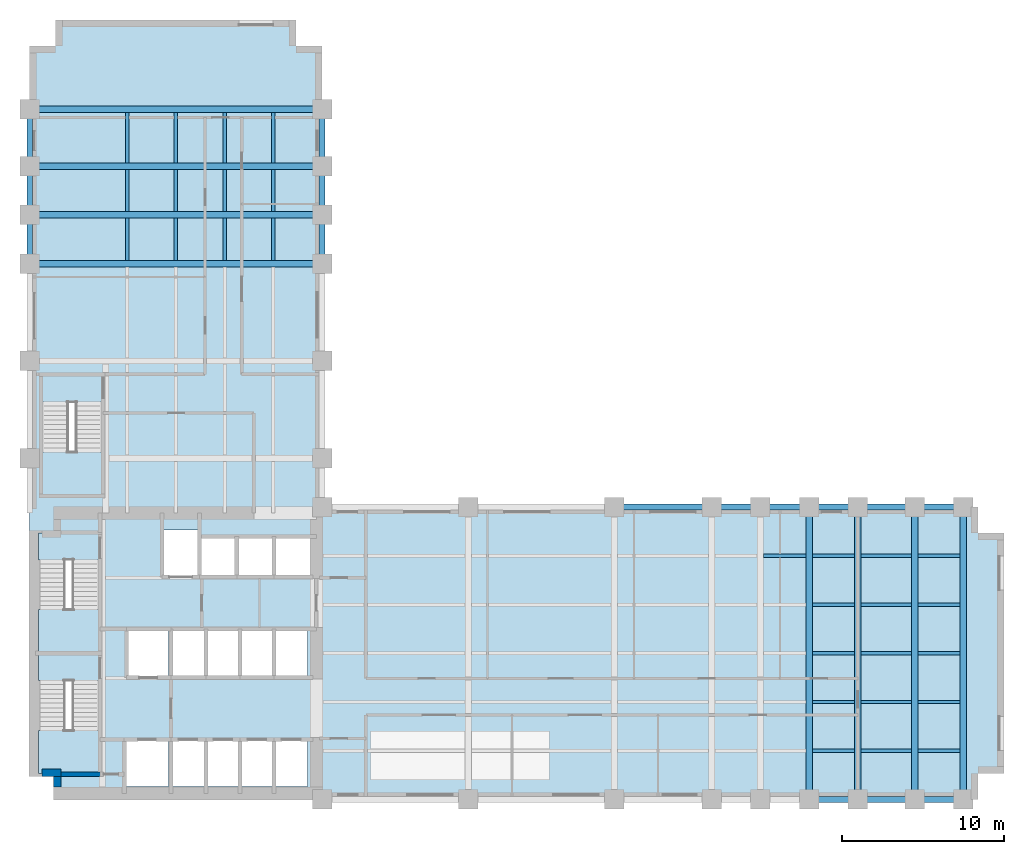
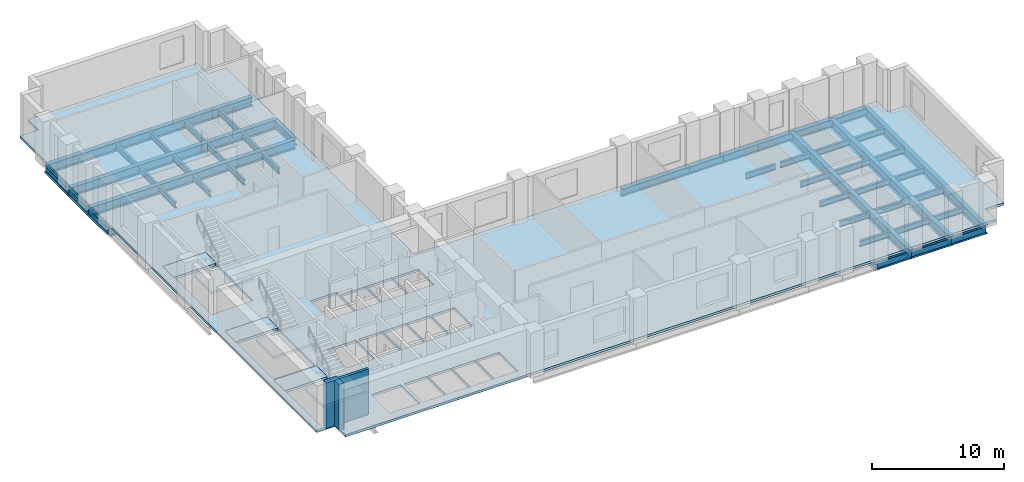
# One storey, part 2 of 7: 51 beams, 7 slabs, 3 walls, 3 elements without a shape of their own.
"""IFC4 building model written with IfcOpenShell, lengths in metres."""

from ifc_helpers import new_model, si_unit, direction, frame, frame_2d, origin, origin_2d, place, context, subcontext, project, spatial, polyline, rectangle, i_section, outline, extrude, material, layer, layer_set, material_profile, profile_set, type_object, element, aggregate, save


model = new_model("IFC4")

# Units and contexts
model_context = context("Model", 3, precision=1e-05, world=origin(), true_north=direction((0.0, 1.0)))
body_context = subcontext(model_context, "Body", "Model", "MODEL_VIEW")
ifc_project = project(units=[si_unit("LENGTHUNIT", "METRE"), si_unit("AREAUNIT", "SQUARE_METRE"), si_unit("VOLUMEUNIT", "CUBIC_METRE"), si_unit("PLANEANGLEUNIT", "RADIAN"), si_unit("MASSUNIT", "GRAM", prefix="KILO")], contexts=[model_context])

# Site, building, storey
site_placement = place(None, origin())
site = spatial("IfcSite", under=ifc_project, at=site_placement, CompositionType="ELEMENT")
building_placement = place(site_placement, origin())
building = spatial("IfcBuilding", under=site, at=building_placement, Name="Mawjdan Bourse Tower", CompositionType="ELEMENT")
storey_placement = place(building_placement, frame((0.0, 0.0, 30.0)))
storey = spatial("IfcBuildingStorey", under=building, at=storey_placement, Name="L06", CompositionType="ELEMENT", Elevation=30.0)

# Beams
ifc_material_1 = material(Name="Structural Steel S355", Category="steel")
ifc_material_profile_1 = material_profile(ifc_material_1, i_section(OverallWidth=0.39892578125, OverallDepth=0.85595703125, WebThickness=0.018310546875, FlangeThickness=0.029296875, FilletRadius=0.0234375, at=origin_2d()), Name="W33X201")
ifc_profile_set_1 = profile_set([ifc_material_profile_1], Name="Structural Steel S355")
beam_type_1 = type_object("IfcBeamType", Name="GRD-W33X201", PredefinedType="BEAM", material=ifc_profile_set_1)
for number, where, z_axis, x_axis, name in (
    (1, (54.0, 3.0, -0.64794921875), (0.0, 1.0, 0.0), (-1.0, 0.0, 0.0), "L06 East Wing Clear-Span Girder 006"),
    (2, (57.0, 3.0, -0.64794921875), (0.0, 1.0, 0.0), (-1.0, 0.0, 0.0), "L06 East Wing Clear-Span Girder 007"),
    (3, (60.5, 3.0, -0.64794921875), (0.0, 1.0, 0.0), (-1.0, 0.0, 0.0), "L06 East Wing Clear-Span Girder 008"),
    (4, (63.5, 3.0, -0.64794921875), (0.0, 1.0, 0.0), (-1.0, 0.0, 0.0), "L06 East Wing Clear-Span Girder 009"),
    (5, (6.0, 36.0, -0.64794921875), (1.0, 0.0, 0.0), (0.0, 1.0, 0.0), "L06 North Wing Clear-Span Girder 073"),
    (6, (6.0, 39.0, -0.64794921875), (1.0, 0.0, 0.0), (0.0, 1.0, 0.0), "L06 North Wing Clear-Span Girder 074"),
    (7, (6.0, 42.0, -0.64794921875), (1.0, 0.0, 0.0), (0.0, 1.0, 0.0), "L06 North Wing Clear-Span Girder 075"),
    (8, (6.0, 45.5, -0.64794921875), (1.0, 0.0, 0.0), (0.0, 1.0, 0.0), "L06 North Wing Clear-Span Girder 076"),
):
    element("IfcBeam", number, at=place(storey_placement, frame(where, z_axis=z_axis, x_axis=x_axis)), inside=storey, type_object=beam_type_1, Name=name, PredefinedType="BEAM", context=body_context, shape_type="SweptSolid", body=[
        extrude(i_section(OverallWidth=0.39892578125, OverallDepth=0.85595703125, WebThickness=0.018310546875, FlangeThickness=0.029296875, FilletRadius=0.0234375, at=origin_2d()), origin(), (0.0, 0.0, 1.0), 18.0),
    ])
ifc_material_profile_2 = material_profile(ifc_material_1, i_section(OverallWidth=0.2119140625, OverallDepth=0.5439453125, WebThickness=0.01318359375, FlangeThickness=0.021240234375, FilletRadius=0.01708984375, at=origin_2d()), Name="W21X83")
ifc_profile_set_2 = profile_set([ifc_material_profile_2], Name="Structural Steel S355")
beam_type_2 = type_object("IfcBeamType", Name="JST-W21X83", PredefinedType="JOIST", material=ifc_profile_set_2)
beam_1_placement = place(storey_placement, frame((54.197509765625, 6.0, -0.491943359375), z_axis=(1.0, 0.0, 0.0), x_axis=(0.0, 1.0, 0.0)))
element("IfcBeam", 9, at=beam_1_placement, inside=storey, type_object=beam_type_2, Name="L06 East Wing Composite Joist 031", PredefinedType="JOIST", context=body_context, shape_type="SweptSolid", body=[
    extrude(i_section(OverallWidth=0.2119140625, OverallDepth=0.5439453125, WebThickness=0.01318359375, FlangeThickness=0.021240234375, FilletRadius=0.01708984375, at=origin_2d()), origin(), (0.0, 0.0, 1.0), 2.60498046875),
])
beam_2_placement = place(storey_placement, frame((57.197509765625, 6.0, -0.491943359375), z_axis=(1.0, 0.0, 0.0), x_axis=(0.0, 1.0, 0.0)))
element("IfcBeam", 10, at=beam_2_placement, inside=storey, type_object=beam_type_2, Name="L06 East Wing Composite Joist 032", PredefinedType="JOIST", context=body_context, shape_type="SweptSolid", body=[
    extrude(i_section(OverallWidth=0.2119140625, OverallDepth=0.5439453125, WebThickness=0.01318359375, FlangeThickness=0.021240234375, FilletRadius=0.01708984375, at=origin_2d()), origin(), (0.0, 0.0, 1.0), 3.10498046875),
])
for number, where, z_axis, x_axis, name in (
    (11, (60.697509765625, 6.0, -0.491943359375), (1.0, 0.0, 0.0), (0.0, 1.0, 0.0), "L06 East Wing Composite Joist 033"),
    (12, (54.197509765625, 9.0, -0.491943359375), (1.0, 0.0, 0.0), (0.0, 1.0, 0.0), "L06 East Wing Composite Joist 039"),
):
    element("IfcBeam", number, at=place(storey_placement, frame(where, z_axis=z_axis, x_axis=x_axis)), inside=storey, type_object=beam_type_2, Name=name, PredefinedType="JOIST", context=body_context, shape_type="SweptSolid", body=[
        extrude(i_section(OverallWidth=0.2119140625, OverallDepth=0.5439453125, WebThickness=0.01318359375, FlangeThickness=0.021240234375, FilletRadius=0.01708984375, at=origin_2d()), origin(), (0.0, 0.0, 1.0), 2.60498046875),
    ])
beam_3_placement = place(storey_placement, frame((57.197509765625, 9.0, -0.491943359375), z_axis=(1.0, 0.0, 0.0), x_axis=(0.0, 1.0, 0.0)))
element("IfcBeam", 13, at=beam_3_placement, inside=storey, type_object=beam_type_2, Name="L06 East Wing Composite Joist 040", PredefinedType="JOIST", context=body_context, shape_type="SweptSolid", body=[
    extrude(i_section(OverallWidth=0.2119140625, OverallDepth=0.5439453125, WebThickness=0.01318359375, FlangeThickness=0.021240234375, FilletRadius=0.01708984375, at=origin_2d()), origin(), (0.0, 0.0, 1.0), 3.10498046875),
])
for number, where, z_axis, x_axis, name in (
    (14, (60.697509765625, 9.0, -0.491943359375), (1.0, 0.0, 0.0), (0.0, 1.0, 0.0), "L06 East Wing Composite Joist 041"),
    (15, (54.197509765625, 12.0, -0.491943359375), (1.0, 0.0, 0.0), (0.0, 1.0, 0.0), "L06 East Wing Composite Joist 047"),
):
    element("IfcBeam", number, at=place(storey_placement, frame(where, z_axis=z_axis, x_axis=x_axis)), inside=storey, type_object=beam_type_2, Name=name, PredefinedType="JOIST", context=body_context, shape_type="SweptSolid", body=[
        extrude(i_section(OverallWidth=0.2119140625, OverallDepth=0.5439453125, WebThickness=0.01318359375, FlangeThickness=0.021240234375, FilletRadius=0.01708984375, at=origin_2d()), origin(), (0.0, 0.0, 1.0), 2.60498046875),
    ])
beam_4_placement = place(storey_placement, frame((57.197509765625, 12.0, -0.491943359375), z_axis=(1.0, 0.0, 0.0), x_axis=(0.0, 1.0, 0.0)))
element("IfcBeam", 16, at=beam_4_placement, inside=storey, type_object=beam_type_2, Name="L06 East Wing Composite Joist 048", PredefinedType="JOIST", context=body_context, shape_type="SweptSolid", body=[
    extrude(i_section(OverallWidth=0.2119140625, OverallDepth=0.5439453125, WebThickness=0.01318359375, FlangeThickness=0.021240234375, FilletRadius=0.01708984375, at=origin_2d()), origin(), (0.0, 0.0, 1.0), 3.10498046875),
])
for number, where, z_axis, x_axis, name in (
    (17, (60.697509765625, 12.0, -0.491943359375), (1.0, 0.0, 0.0), (0.0, 1.0, 0.0), "L06 East Wing Composite Joist 049"),
    (18, (54.197509765625, 15.0, -0.491943359375), (1.0, 0.0, 0.0), (0.0, 1.0, 0.0), "L06 East Wing Composite Joist 055"),
):
    element("IfcBeam", number, at=place(storey_placement, frame(where, z_axis=z_axis, x_axis=x_axis)), inside=storey, type_object=beam_type_2, Name=name, PredefinedType="JOIST", context=body_context, shape_type="SweptSolid", body=[
        extrude(i_section(OverallWidth=0.2119140625, OverallDepth=0.5439453125, WebThickness=0.01318359375, FlangeThickness=0.021240234375, FilletRadius=0.01708984375, at=origin_2d()), origin(), (0.0, 0.0, 1.0), 2.60498046875),
    ])
beam_5_placement = place(storey_placement, frame((57.197509765625, 15.0, -0.491943359375), z_axis=(1.0, 0.0, 0.0), x_axis=(0.0, 1.0, 0.0)))
element("IfcBeam", 19, at=beam_5_placement, inside=storey, type_object=beam_type_2, Name="L06 East Wing Composite Joist 056", PredefinedType="JOIST", context=body_context, shape_type="SweptSolid", body=[
    extrude(i_section(OverallWidth=0.2119140625, OverallDepth=0.5439453125, WebThickness=0.01318359375, FlangeThickness=0.021240234375, FilletRadius=0.01708984375, at=origin_2d()), origin(), (0.0, 0.0, 1.0), 3.10498046875),
])
for number, where, z_axis, x_axis, name in (
    (20, (60.697509765625, 15.0, -0.491943359375), (1.0, 0.0, 0.0), (0.0, 1.0, 0.0), "L06 East Wing Composite Joist 057"),
    (21, (51.197509765625, 18.0, -0.491943359375), (1.0, 0.0, 0.0), (0.0, 1.0, 0.0), "L06 East Wing Composite Joist 062"),
    (22, (54.197509765625, 18.0, -0.491943359375), (1.0, 0.0, 0.0), (0.0, 1.0, 0.0), "L06 East Wing Composite Joist 063"),
):
    element("IfcBeam", number, at=place(storey_placement, frame(where, z_axis=z_axis, x_axis=x_axis)), inside=storey, type_object=beam_type_2, Name=name, PredefinedType="JOIST", context=body_context, shape_type="SweptSolid", body=[
        extrude(i_section(OverallWidth=0.2119140625, OverallDepth=0.5439453125, WebThickness=0.01318359375, FlangeThickness=0.021240234375, FilletRadius=0.01708984375, at=origin_2d()), origin(), (0.0, 0.0, 1.0), 2.60498046875),
    ])
beam_6_placement = place(storey_placement, frame((57.197509765625, 18.0, -0.491943359375), z_axis=(1.0, 0.0, 0.0), x_axis=(0.0, 1.0, 0.0)))
element("IfcBeam", 23, at=beam_6_placement, inside=storey, type_object=beam_type_2, Name="L06 East Wing Composite Joist 064", PredefinedType="JOIST", context=body_context, shape_type="SweptSolid", body=[
    extrude(i_section(OverallWidth=0.2119140625, OverallDepth=0.5439453125, WebThickness=0.01318359375, FlangeThickness=0.021240234375, FilletRadius=0.01708984375, at=origin_2d()), origin(), (0.0, 0.0, 1.0), 3.10498046875),
])
for number, where, z_axis, x_axis, name in (
    (24, (60.697509765625, 18.0, -0.491943359375), (1.0, 0.0, 0.0), (0.0, 1.0, 0.0), "L06 East Wing Composite Joist 065"),
    (25, (12.0, 36.197509765625, -0.491943359375), (0.0, 1.0, 0.0), (-1.0, 0.0, 0.0), "L06 North Wing Composite Joist 092"),
    (26, (12.0, 39.197509765625, -0.491943359375), (0.0, 1.0, 0.0), (-1.0, 0.0, 0.0), "L06 North Wing Composite Joist 093"),
):
    element("IfcBeam", number, at=place(storey_placement, frame(where, z_axis=z_axis, x_axis=x_axis)), inside=storey, type_object=beam_type_2, Name=name, PredefinedType="JOIST", context=body_context, shape_type="SweptSolid", body=[
        extrude(i_section(OverallWidth=0.2119140625, OverallDepth=0.5439453125, WebThickness=0.01318359375, FlangeThickness=0.021240234375, FilletRadius=0.01708984375, at=origin_2d()), origin(), (0.0, 0.0, 1.0), 2.60498046875),
    ])
beam_7_placement = place(storey_placement, frame((12.0, 42.197509765625, -0.491943359375), z_axis=(0.0, 1.0, 0.0), x_axis=(-1.0, 0.0, 0.0)))
element("IfcBeam", 27, at=beam_7_placement, inside=storey, type_object=beam_type_2, Name="L06 North Wing Composite Joist 094", PredefinedType="JOIST", context=body_context, shape_type="SweptSolid", body=[
    extrude(i_section(OverallWidth=0.2119140625, OverallDepth=0.5439453125, WebThickness=0.01318359375, FlangeThickness=0.021240234375, FilletRadius=0.01708984375, at=origin_2d()), origin(), (0.0, 0.0, 1.0), 3.10498046875),
])
for number, where, z_axis, x_axis, name in (
    (28, (15.0, 36.197509765625, -0.491943359375), (0.0, 1.0, 0.0), (-1.0, 0.0, 0.0), "L06 North Wing Composite Joist 098"),
    (29, (15.0, 39.197509765625, -0.491943359375), (0.0, 1.0, 0.0), (-1.0, 0.0, 0.0), "L06 North Wing Composite Joist 099"),
):
    element("IfcBeam", number, at=place(storey_placement, frame(where, z_axis=z_axis, x_axis=x_axis)), inside=storey, type_object=beam_type_2, Name=name, PredefinedType="JOIST", context=body_context, shape_type="SweptSolid", body=[
        extrude(i_section(OverallWidth=0.2119140625, OverallDepth=0.5439453125, WebThickness=0.01318359375, FlangeThickness=0.021240234375, FilletRadius=0.01708984375, at=origin_2d()), origin(), (0.0, 0.0, 1.0), 2.60498046875),
    ])
beam_8_placement = place(storey_placement, frame((15.0, 42.197509765625, -0.491943359375), z_axis=(0.0, 1.0, 0.0), x_axis=(-1.0, 0.0, 0.0)))
element("IfcBeam", 30, at=beam_8_placement, inside=storey, type_object=beam_type_2, Name="L06 North Wing Composite Joist 100", PredefinedType="JOIST", context=body_context, shape_type="SweptSolid", body=[
    extrude(i_section(OverallWidth=0.2119140625, OverallDepth=0.5439453125, WebThickness=0.01318359375, FlangeThickness=0.021240234375, FilletRadius=0.01708984375, at=origin_2d()), origin(), (0.0, 0.0, 1.0), 3.10498046875),
])
for number, where, z_axis, x_axis, name in (
    (31, (18.0, 36.197509765625, -0.491943359375), (0.0, 1.0, 0.0), (-1.0, 0.0, 0.0), "L06 North Wing Composite Joist 104"),
    (32, (18.0, 39.197509765625, -0.491943359375), (0.0, 1.0, 0.0), (-1.0, 0.0, 0.0), "L06 North Wing Composite Joist 105"),
):
    element("IfcBeam", number, at=place(storey_placement, frame(where, z_axis=z_axis, x_axis=x_axis)), inside=storey, type_object=beam_type_2, Name=name, PredefinedType="JOIST", context=body_context, shape_type="SweptSolid", body=[
        extrude(i_section(OverallWidth=0.2119140625, OverallDepth=0.5439453125, WebThickness=0.01318359375, FlangeThickness=0.021240234375, FilletRadius=0.01708984375, at=origin_2d()), origin(), (0.0, 0.0, 1.0), 2.60498046875),
    ])
beam_9_placement = place(storey_placement, frame((18.0, 42.197509765625, -0.491943359375), z_axis=(0.0, 1.0, 0.0), x_axis=(-1.0, 0.0, 0.0)))
element("IfcBeam", 33, at=beam_9_placement, inside=storey, type_object=beam_type_2, Name="L06 North Wing Composite Joist 106", PredefinedType="JOIST", context=body_context, shape_type="SweptSolid", body=[
    extrude(i_section(OverallWidth=0.2119140625, OverallDepth=0.5439453125, WebThickness=0.01318359375, FlangeThickness=0.021240234375, FilletRadius=0.01708984375, at=origin_2d()), origin(), (0.0, 0.0, 1.0), 3.10498046875),
])
for number, where, z_axis, x_axis, name in (
    (34, (21.0, 36.197509765625, -0.491943359375), (0.0, 1.0, 0.0), (-1.0, 0.0, 0.0), "L06 North Wing Composite Joist 110"),
    (35, (21.0, 39.197509765625, -0.491943359375), (0.0, 1.0, 0.0), (-1.0, 0.0, 0.0), "L06 North Wing Composite Joist 111"),
):
    element("IfcBeam", number, at=place(storey_placement, frame(where, z_axis=z_axis, x_axis=x_axis)), inside=storey, type_object=beam_type_2, Name=name, PredefinedType="JOIST", context=body_context, shape_type="SweptSolid", body=[
        extrude(i_section(OverallWidth=0.2119140625, OverallDepth=0.5439453125, WebThickness=0.01318359375, FlangeThickness=0.021240234375, FilletRadius=0.01708984375, at=origin_2d()), origin(), (0.0, 0.0, 1.0), 2.60498046875),
    ])
beam_10_placement = place(storey_placement, frame((21.0, 42.197509765625, -0.491943359375), z_axis=(0.0, 1.0, 0.0), x_axis=(-1.0, 0.0, 0.0)))
element("IfcBeam", 36, at=beam_10_placement, inside=storey, type_object=beam_type_2, Name="L06 North Wing Composite Joist 112", PredefinedType="JOIST", context=body_context, shape_type="SweptSolid", body=[
    extrude(i_section(OverallWidth=0.2119140625, OverallDepth=0.5439453125, WebThickness=0.01318359375, FlangeThickness=0.021240234375, FilletRadius=0.01708984375, at=origin_2d()), origin(), (0.0, 0.0, 1.0), 3.10498046875),
])
ifc_material_profile_3 = material_profile(ifc_material_1, i_section(OverallWidth=0.35498046875, OverallDepth=0.696044921875, WebThickness=0.015380859375, FlangeThickness=0.02490234375, FilletRadius=0.019775390625, at=origin_2d()), Name="W27X146")
ifc_profile_set_3 = profile_set([ifc_material_profile_3], Name="Structural Steel S355")
beam_type_3 = type_object("IfcBeamType", Name="SPN-W27X146", PredefinedType="SPANDREL", material=ifc_profile_set_3)
beam_11_placement = place(storey_placement, frame((54.0, 3.0, -0.568115234375), z_axis=(1.0, 0.0, 0.0), x_axis=(0.0, 1.0, 0.0)))
element("IfcBeam", 37, at=beam_11_placement, inside=storey, type_object=beam_type_3, Name="L06 Perimeter Masonry-Shelf Spandrel 015", PredefinedType="SPANDREL", context=body_context, shape_type="SweptSolid", body=[
    extrude(i_section(OverallWidth=0.35498046875, OverallDepth=0.696044921875, WebThickness=0.015380859375, FlangeThickness=0.02490234375, FilletRadius=0.019775390625, at=origin_2d()), origin(), (0.0, 0.0, 1.0), 3.0),
])
beam_12_placement = place(storey_placement, frame((57.0, 3.0, -0.568115234375), z_axis=(1.0, 0.0, 0.0), x_axis=(0.0, 1.0, 0.0)))
element("IfcBeam", 38, at=beam_12_placement, inside=storey, type_object=beam_type_3, Name="L06 Perimeter Masonry-Shelf Spandrel 016", PredefinedType="SPANDREL", context=body_context, shape_type="SweptSolid", body=[
    extrude(i_section(OverallWidth=0.35498046875, OverallDepth=0.696044921875, WebThickness=0.015380859375, FlangeThickness=0.02490234375, FilletRadius=0.019775390625, at=origin_2d()), origin(), (0.0, 0.0, 1.0), 3.5),
])
beam_13_placement = place(storey_placement, frame((60.5, 3.0, -0.568115234375), z_axis=(1.0, 0.0, 0.0), x_axis=(0.0, 1.0, 0.0)))
element("IfcBeam", 39, at=beam_13_placement, inside=storey, type_object=beam_type_3, Name="L06 Perimeter Masonry-Shelf Spandrel 017", PredefinedType="SPANDREL", context=body_context, shape_type="SweptSolid", body=[
    extrude(i_section(OverallWidth=0.35498046875, OverallDepth=0.696044921875, WebThickness=0.015380859375, FlangeThickness=0.02490234375, FilletRadius=0.019775390625, at=origin_2d()), origin(), (0.0, 0.0, 1.0), 3.0),
])
beam_14_placement = place(storey_placement, frame((42.0, 21.0, -0.568115234375), z_axis=(1.0, 0.0, 0.0), x_axis=(0.0, 1.0, 0.0)))
element("IfcBeam", 40, at=beam_14_placement, inside=storey, type_object=beam_type_3, Name="L06 Perimeter Masonry-Shelf Spandrel 020", PredefinedType="SPANDREL", context=body_context, shape_type="SweptSolid", body=[
    extrude(i_section(OverallWidth=0.35498046875, OverallDepth=0.696044921875, WebThickness=0.015380859375, FlangeThickness=0.02490234375, FilletRadius=0.019775390625, at=origin_2d()), origin(), (0.0, 0.0, 1.0), 6.0),
])
for number, where, z_axis, x_axis, name in (
    (41, (48.0, 21.0, -0.568115234375), (1.0, 0.0, 0.0), (0.0, 1.0, 0.0), "L06 Perimeter Masonry-Shelf Spandrel 021"),
    (42, (51.0, 21.0, -0.568115234375), (1.0, 0.0, 0.0), (0.0, 1.0, 0.0), "L06 Perimeter Masonry-Shelf Spandrel 022"),
    (43, (54.0, 21.0, -0.568115234375), (1.0, 0.0, 0.0), (0.0, 1.0, 0.0), "L06 Perimeter Masonry-Shelf Spandrel 023"),
):
    element("IfcBeam", number, at=place(storey_placement, frame(where, z_axis=z_axis, x_axis=x_axis)), inside=storey, type_object=beam_type_3, Name=name, PredefinedType="SPANDREL", context=body_context, shape_type="SweptSolid", body=[
        extrude(i_section(OverallWidth=0.35498046875, OverallDepth=0.696044921875, WebThickness=0.015380859375, FlangeThickness=0.02490234375, FilletRadius=0.019775390625, at=origin_2d()), origin(), (0.0, 0.0, 1.0), 3.0),
    ])
beam_15_placement = place(storey_placement, frame((57.0, 21.0, -0.568115234375), z_axis=(1.0, 0.0, 0.0), x_axis=(0.0, 1.0, 0.0)))
element("IfcBeam", 44, at=beam_15_placement, inside=storey, type_object=beam_type_3, Name="L06 Perimeter Masonry-Shelf Spandrel 024", PredefinedType="SPANDREL", context=body_context, shape_type="SweptSolid", body=[
    extrude(i_section(OverallWidth=0.35498046875, OverallDepth=0.696044921875, WebThickness=0.015380859375, FlangeThickness=0.02490234375, FilletRadius=0.019775390625, at=origin_2d()), origin(), (0.0, 0.0, 1.0), 3.5),
])
for number, where, z_axis, x_axis, name in (
    (45, (60.5, 21.0, -0.568115234375), (1.0, 0.0, 0.0), (0.0, 1.0, 0.0), "L06 Perimeter Masonry-Shelf Spandrel 025"),
    (46, (6.0, 36.0, -0.568115234375), (0.0, 1.0, 0.0), (-1.0, 0.0, 0.0), "L06 North Wing Spandrel 080"),
    (47, (6.0, 39.0, -0.568115234375), (0.0, 1.0, 0.0), (-1.0, 0.0, 0.0), "L06 North Wing Spandrel 081"),
):
    element("IfcBeam", number, at=place(storey_placement, frame(where, z_axis=z_axis, x_axis=x_axis)), inside=storey, type_object=beam_type_3, Name=name, PredefinedType="SPANDREL", context=body_context, shape_type="SweptSolid", body=[
        extrude(i_section(OverallWidth=0.35498046875, OverallDepth=0.696044921875, WebThickness=0.015380859375, FlangeThickness=0.02490234375, FilletRadius=0.019775390625, at=origin_2d()), origin(), (0.0, 0.0, 1.0), 3.0),
    ])
beam_16_placement = place(storey_placement, frame((6.0, 42.0, -0.568115234375), z_axis=(0.0, 1.0, 0.0), x_axis=(-1.0, 0.0, 0.0)))
element("IfcBeam", 48, at=beam_16_placement, inside=storey, type_object=beam_type_3, Name="L06 North Wing Spandrel 082", PredefinedType="SPANDREL", context=body_context, shape_type="SweptSolid", body=[
    extrude(i_section(OverallWidth=0.35498046875, OverallDepth=0.696044921875, WebThickness=0.015380859375, FlangeThickness=0.02490234375, FilletRadius=0.019775390625, at=origin_2d()), origin(), (0.0, 0.0, 1.0), 3.5),
])
for number, where, z_axis, x_axis, name in (
    (49, (24.0, 36.0, -0.568115234375), (0.0, 1.0, 0.0), (-1.0, 0.0, 0.0), "L06 North Wing Spandrel 086"),
    (50, (24.0, 39.0, -0.568115234375), (0.0, 1.0, 0.0), (-1.0, 0.0, 0.0), "L06 North Wing Spandrel 087"),
):
    element("IfcBeam", number, at=place(storey_placement, frame(where, z_axis=z_axis, x_axis=x_axis)), inside=storey, type_object=beam_type_3, Name=name, PredefinedType="SPANDREL", context=body_context, shape_type="SweptSolid", body=[
        extrude(i_section(OverallWidth=0.35498046875, OverallDepth=0.696044921875, WebThickness=0.015380859375, FlangeThickness=0.02490234375, FilletRadius=0.019775390625, at=origin_2d()), origin(), (0.0, 0.0, 1.0), 3.0),
    ])
beam_17_placement = place(storey_placement, frame((24.0, 42.0, -0.568115234375), z_axis=(0.0, 1.0, 0.0), x_axis=(-1.0, 0.0, 0.0)))
element("IfcBeam", 51, at=beam_17_placement, inside=storey, type_object=beam_type_3, Name="L06 North Wing Spandrel 088", PredefinedType="SPANDREL", context=body_context, shape_type="SweptSolid", body=[
    extrude(i_section(OverallWidth=0.35498046875, OverallDepth=0.696044921875, WebThickness=0.015380859375, FlangeThickness=0.02490234375, FilletRadius=0.019775390625, at=origin_2d()), origin(), (0.0, 0.0, 1.0), 3.5),
])

# Stair, slabs
ifc_material_2 = material(Name="Concrete C50/60", Category="concrete")
stair_type = type_object("IfcStairType", Name="STR-CORE-1500", PredefinedType="HALF_TURN_STAIR", material=ifc_material_2)
stair_1_placement = place(storey_placement, origin())
stair_1 = element("IfcStair", 52, at=stair_1_placement, inside=storey, type_object=stair_type, Name="L06 Exit Stair 1 (Core South-West)", PredefinedType="HALF_TURN_STAIR")
ifc_layer_1 = layer(ifc_material_2, 0.22998046875)
ifc_layer_set_1 = layer_set([ifc_layer_1], Name="Concrete C50/60")
slab_type_1 = type_object("IfcSlabType", Name="SL-LND-230", PredefinedType="LANDING", material=ifc_layer_set_1)
slab_1_placement = place(storey_placement, frame((0.0, 0.0, -0.22998046875)))
slab_1 = element("IfcSlab", 53, at=slab_1_placement, type_object=slab_type_1, Name="ST1-L06 landing 1", PredefinedType="LANDING", context=body_context, shape_type="SweptSolid", body=[
    extrude(outline(polyline([(6.5400390625, 10.31005859375), (10.260009765625, 10.31005859375), (10.260009765625, 11.969970703125), (6.5400390625, 11.969970703125), (6.5400390625, 10.31005859375)])), origin(), (0.0, 0.0, 1.0), 0.22998046875),
])
slab_2_placement = place(storey_placement, frame((0.0, 0.0, 1.8701171875)))
slab_2 = element("IfcSlab", 54, at=slab_2_placement, type_object=slab_type_1, Name="ST1-L06 landing 2", PredefinedType="LANDING", context=body_context, shape_type="SweptSolid", body=[
    extrude(outline(polyline([(6.5400390625, 4.590087890625), (10.260009765625, 4.590087890625), (10.260009765625, 7.2548828125), (6.5400390625, 7.2548828125), (6.5400390625, 4.590087890625)])), origin(), (0.0, 0.0, 1.0), 0.22998046875),
])
aggregate(stair_1, [slab_1, slab_2])

stair_2_placement = place(storey_placement, origin())
stair_2 = element("IfcStair", 55, at=stair_2_placement, inside=storey, type_object=stair_type, Name="L06 Exit Stair 2 (Core North-West)", PredefinedType="HALF_TURN_STAIR")
slab_3_placement = place(storey_placement, frame((0.0, 0.0, -0.22998046875)))
slab_3 = element("IfcSlab", 56, at=slab_3_placement, type_object=slab_type_1, Name="ST2-L06 landing 1", PredefinedType="LANDING", context=body_context, shape_type="SweptSolid", body=[
    extrude(outline(polyline([(6.5400390625, 17.75), (10.260009765625, 17.75), (10.260009765625, 19.409912109375), (6.5400390625, 19.409912109375), (6.5400390625, 17.75)])), origin(), (0.0, 0.0, 1.0), 0.22998046875),
])
slab_4_placement = place(storey_placement, frame((0.0, 0.0, 1.8701171875)))
slab_4 = element("IfcSlab", 57, at=slab_4_placement, type_object=slab_type_1, Name="ST2-L06 landing 2", PredefinedType="LANDING", context=body_context, shape_type="SweptSolid", body=[
    extrude(outline(polyline([(6.5400390625, 12.030029296875), (10.260009765625, 12.030029296875), (10.260009765625, 14.695068359375), (6.5400390625, 14.695068359375), (6.5400390625, 12.030029296875)])), origin(), (0.0, 0.0, 1.0), 0.22998046875),
])
aggregate(stair_2, [slab_3, slab_4])

stair_3_placement = place(storey_placement, origin())
stair_3 = element("IfcStair", 58, at=stair_3_placement, inside=storey, type_object=stair_type, Name="L06 Exit Stair 3 (North Wing)", PredefinedType="HALF_TURN_STAIR")
slab_5_placement = place(storey_placement, frame((0.0, 0.0, -0.22998046875)))
slab_5 = element("IfcSlab", 59, at=slab_5_placement, type_object=slab_type_1, Name="ST3-L06 landing 1", PredefinedType="LANDING", context=body_context, shape_type="SweptSolid", body=[
    extrude(outline(polyline([(6.739990234375, 27.4599609375), (10.4599609375, 27.4599609375), (10.4599609375, 29.1201171875), (6.739990234375, 29.1201171875), (6.739990234375, 27.4599609375)])), origin(), (0.0, 0.0, 1.0), 0.22998046875),
])
slab_6_placement = place(storey_placement, frame((0.0, 0.0, 1.8701171875)))
slab_6 = element("IfcSlab", 60, at=slab_6_placement, type_object=slab_type_1, Name="ST3-L06 landing 2", PredefinedType="LANDING", context=body_context, shape_type="SweptSolid", body=[
    extrude(outline(polyline([(6.739990234375, 21.739990234375), (10.4599609375, 21.739990234375), (10.4599609375, 24.405029296875), (6.739990234375, 24.405029296875), (6.739990234375, 21.739990234375)])), origin(), (0.0, 0.0, 1.0), 0.22998046875),
])
aggregate(stair_3, [slab_5, slab_6])

# Slab
ifc_layer_2 = layer(ifc_material_2, 0.219970703125)
ifc_layer_set_2 = layer_set([ifc_layer_2], Name="Concrete C50/60")
slab_type_2 = type_object("IfcSlabType", Name="SL-TRD-220", PredefinedType="FLOOR", material=ifc_layer_set_2)
slab_7_placement = place(storey_placement, frame((0.0, 0.0, -0.219970703125)))
element("IfcSlab", 61, at=slab_7_placement, inside=storey, type_object=slab_type_2, Name="L06 Structural Floor Slab 1", PredefinedType="FLOOR", context=body_context, shape_type="SweptSolid", body=[
    extrude(outline(polyline([(7.60009765625, 3.0), (64.39990234375, 3.0), (64.39990234375, 4.60009765625), (66.0, 4.60009765625), (66.0, 19.39990234375), (64.39990234375, 19.39990234375), (64.39990234375, 21.0), (24.0, 21.0), (24.0, 49.39990234375), (22.39990234375, 49.39990234375), (22.39990234375, 51.0), (7.60009765625, 51.0), (7.60009765625, 49.39990234375), (6.0, 49.39990234375), (6.0, 4.60009765625), (7.60009765625, 4.60009765625), (7.60009765625, 3.0)]), holes=[polyline([(11.949951171875, 3.800048828125), (11.949951171875, 6.60009765625), (14.550048828125, 6.60009765625), (14.550048828125, 3.800048828125), (11.949951171875, 3.800048828125)]), polyline([(14.800048828125, 3.800048828125), (14.800048828125, 6.60009765625), (16.800048828125, 6.60009765625), (16.800048828125, 3.800048828125), (14.800048828125, 3.800048828125)]), polyline([(10.260009765625, 11.969970703125), (10.260009765625, 10.31005859375), (10.199951171875, 10.31005859375), (10.199951171875, 4.64990234375), (6.60009765625, 4.64990234375), (6.60009765625, 10.31005859375), (6.5400390625, 10.31005859375), (6.5400390625, 11.969970703125), (10.260009765625, 11.969970703125)]), polyline([(12.050048828125, 13.39990234375), (14.550048828125, 13.39990234375), (14.550048828125, 10.60009765625), (12.050048828125, 10.60009765625), (12.050048828125, 13.39990234375)]), polyline([(6.60009765625, 17.75), (6.5400390625, 17.75), (6.5400390625, 19.409912109375), (10.260009765625, 19.409912109375), (10.260009765625, 17.75), (10.199951171875, 17.75), (10.199951171875, 12.090087890625), (6.60009765625, 12.090087890625), (6.60009765625, 17.75)]), polyline([(14.199951171875, 16.800048828125), (14.199951171875, 19.60009765625), (16.39990234375, 19.60009765625), (16.39990234375, 16.800048828125), (14.199951171875, 16.800048828125)]), polyline([(10.4599609375, 27.4599609375), (10.39990234375, 27.4599609375), (10.39990234375, 21.800048828125), (6.800048828125, 21.800048828125), (6.800048828125, 27.4599609375), (6.739990234375, 27.4599609375), (6.739990234375, 29.1201171875), (10.4599609375, 29.1201171875), (10.4599609375, 27.4599609375)]), polyline([(16.89990234375, 3.800048828125), (16.89990234375, 6.60009765625), (18.89990234375, 6.60009765625), (18.89990234375, 3.800048828125), (16.89990234375, 3.800048828125)]), polyline([(19.0, 3.800048828125), (19.0, 6.60009765625), (21.0, 6.60009765625), (21.0, 3.800048828125), (19.0, 3.800048828125)]), polyline([(21.10009765625, 3.800048828125), (21.10009765625, 6.60009765625), (23.10009765625, 6.60009765625), (23.10009765625, 3.800048828125), (21.10009765625, 3.800048828125)]), polyline([(14.800048828125, 13.39990234375), (16.800048828125, 13.39990234375), (16.800048828125, 10.60009765625), (14.800048828125, 10.60009765625), (14.800048828125, 13.39990234375)]), polyline([(16.89990234375, 13.39990234375), (18.89990234375, 13.39990234375), (18.89990234375, 10.60009765625), (16.89990234375, 10.60009765625), (16.89990234375, 13.39990234375)]), polyline([(19.0, 10.60009765625), (19.0, 13.39990234375), (21.0, 13.39990234375), (21.0, 10.60009765625), (19.0, 10.60009765625)]), polyline([(21.10009765625, 10.60009765625), (21.10009765625, 13.39990234375), (23.10009765625, 13.39990234375), (23.10009765625, 10.60009765625), (21.10009765625, 10.60009765625)]), polyline([(16.5, 16.800048828125), (16.5, 19.14990234375), (18.699951171875, 19.14990234375), (18.699951171875, 16.800048828125), (16.5, 16.800048828125)]), polyline([(18.800048828125, 19.14990234375), (21.0, 19.14990234375), (21.0, 16.800048828125), (18.800048828125, 16.800048828125), (18.800048828125, 19.14990234375)]), polyline([(21.10009765625, 19.14990234375), (23.300048828125, 19.14990234375), (23.300048828125, 16.800048828125), (21.10009765625, 16.800048828125), (21.10009765625, 19.14990234375)])]), origin(), (0.0, 0.0, 1.0), 0.219970703125),
])

# Walls
ifc_material_3 = material(Name="Concrete C60/75", Category="concrete")
ifc_layer_3 = layer(ifc_material_3, 0.449951171875)
ifc_layer_set_3 = layer_set([ifc_layer_3], Name="Concrete C60/75")
wall_type_1 = type_object("IfcWallType", Name="WL-CORE-450", PredefinedType="SHEAR", material=ifc_layer_set_3)
wall_1_placement = place(storey_placement, frame((6.75, 4.64990234375, 0.0), z_axis=(0.0, 0.0, 1.0), x_axis=(1.0, 0.0, 0.0)))
element("IfcWall", 62, at=wall_1_placement, inside=storey, type_object=wall_type_1, Name="L06 Rear Core Shear Wall SW-X", PredefinedType="SHEAR", context=body_context, shape_type="SweptSolid", body=[
    extrude(rectangle(XDim=1.175048828125, YDim=0.449951171875, at=frame_2d((0.58740234375, 0.0))), origin(), (0.0, 0.0, 1.0), 4.199951171875),
])
wall_2_placement = place(storey_placement, frame((7.699951171875, 3.75, 0.0), z_axis=(0.0, 0.0, 1.0), x_axis=(0.0, 1.0, 0.0)))
element("IfcWall", 63, at=wall_2_placement, inside=storey, type_object=wall_type_1, Name="L06 Rear Core Shear Wall SW-Y", PredefinedType="SHEAR", context=body_context, shape_type="SweptSolid", body=[
    extrude(rectangle(XDim=0.675048828125, YDim=0.449951171875, at=frame_2d((0.33740234375, 0.0))), origin(), (0.0, 0.0, 1.0), 4.199951171875),
])
ifc_layer_4 = layer(ifc_material_2, 0.25)
ifc_layer_set_4 = layer_set([ifc_layer_4], Name="Concrete C50/60")
wall_type_2 = type_object("IfcWallType", Name="WL-STRW-250", PredefinedType="SHEAR", material=ifc_layer_set_4)
wall_3_placement = place(storey_placement, frame((7.699951171875, 4.550048828125, 0.0), z_axis=(0.0, 0.0, 1.0), x_axis=(1.0, 0.0, 0.0)))
element("IfcWall", 64, at=wall_3_placement, inside=storey, type_object=wall_type_2, Name="L06 Stairwell ST1 South Shaft Wall", PredefinedType="SHEAR", context=body_context, shape_type="SweptSolid", body=[
    extrude(rectangle(XDim=2.755126953125, YDim=0.25, at=frame_2d((1.37744140625, 0.0))), origin(), (0.0, 0.0, 1.0), 4.199951171875),
])

save(model, "model.ifc")
